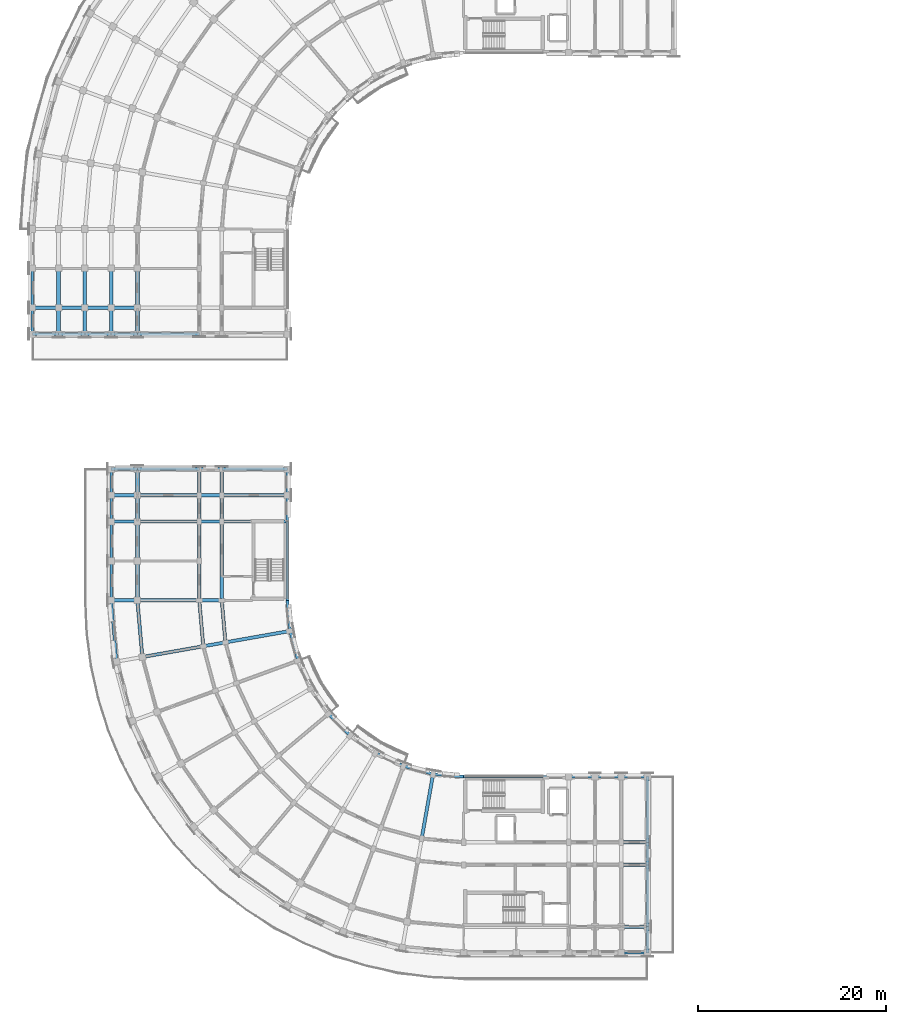
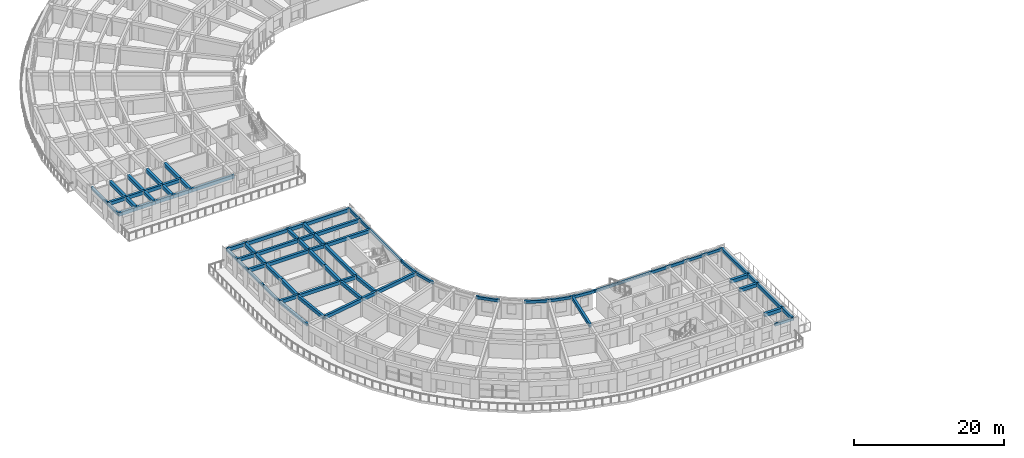
# One storey, part 6 of 54: 78 beams.
"""IFC4 building model written with IfcOpenShell, lengths in metres."""

from ifc_helpers import new_model, si_unit, direction, frame, origin, origin_2d, place, context, subcontext, project, spatial, rectangle, extrude, material, material_profile, profile_set, type_object, element, save


model = new_model("IFC4")

# Units and contexts
model_context = context("Model", 3, precision=1e-05, world=origin(), true_north=direction((0.0, 1.0)))
body_context = subcontext(model_context, "Body", "Model", "MODEL_VIEW")
ifc_project = project(units=[si_unit("LENGTHUNIT", "METRE"), si_unit("AREAUNIT", "SQUARE_METRE"), si_unit("VOLUMEUNIT", "CUBIC_METRE"), si_unit("PLANEANGLEUNIT", "RADIAN"), si_unit("MASSUNIT", "GRAM", prefix="KILO")], contexts=[model_context])

# Site, building, storey
site_placement = place(None, origin())
site = spatial("IfcSite", under=ifc_project, at=site_placement, CompositionType="ELEMENT")
building_placement = place(site_placement, origin())
building = spatial("IfcBuilding", under=site, at=building_placement, Name="Kiranvali Square Residences", CompositionType="ELEMENT")
storey_placement = place(building_placement, frame((0.0, 0.0, 27.60009765625)))
storey = spatial("IfcBuildingStorey", under=building, at=storey_placement, Name="L08", CompositionType="ELEMENT", Elevation=27.60009765625)

# Beams
ifc_material_1 = material(Name="Concrete M40 (40 MPa)", Category="concrete")
ifc_material_profile_1 = material_profile(ifc_material_1, rectangle(XDim=0.35009765625, YDim=0.550048828125, at=origin_2d()), Name="RC 350x550")
ifc_profile_set_1 = profile_set([ifc_material_profile_1], Name="Concrete M40 (40 MPa)")
beam_type_1 = type_object("IfcBeamType", Name="BM-M40-350x550", PredefinedType="BEAM", material=ifc_profile_set_1)
beam_1_placement = place(storey_placement, frame((13.39990234375, 79.39990234375, 2.65478515625), z_axis=(-1.0, 0.0, 0.0), x_axis=(0.0, -1.0, 0.0)))
element("IfcBeam", 1, at=beam_1_placement, inside=storey, type_object=beam_type_1, Name="L08 beam BM-A-L08-A2T1-34", PredefinedType="BEAM", context=body_context, shape_type="SweptSolid", body=[
    extrude(rectangle(XDim=0.35009765625, YDim=0.550048828125, at=origin_2d()), origin(), (0.0, 0.0, 1.0), 2.7998046875),
])
for number, where, z_axis, x_axis, name in (
    (2, (10.60009765625, 79.39990234375, 2.65478515625), (-1.0, 0.0, 0.0), (0.0, -1.0, 0.0), "L08 beam BM-A-L08-A2T1-45"),
    (3, (7.800048828125, 79.39990234375, 2.65478515625), (-1.0, 0.0, 0.0), (0.0, -1.0, 0.0), "L08 beam BM-A-L08-A2T1-56"),
    (4, (5.0, 79.39990234375, 2.65478515625), (-1.0, 0.0, 0.0), (0.0, -1.0, 0.0), "L08 beam BM-A-L08-A2T1-67"),
):
    element("IfcBeam", number, at=place(storey_placement, frame(where, z_axis=z_axis, x_axis=x_axis)), inside=storey, type_object=beam_type_1, Name=name, PredefinedType="BEAM", context=body_context, shape_type="SweptSolid", body=[
        extrude(rectangle(XDim=0.35009765625, YDim=0.550048828125, at=origin_2d()), origin(), (0.0, 0.0, 1.0), 2.800048828125),
    ])
beam_2_placement = place(storey_placement, frame((20.0, 76.60009765625, 2.65478515625), z_axis=(-1.0, 0.0, 0.0), x_axis=(0.0, -1.0, 0.0)))
element("IfcBeam", 5, at=beam_2_placement, inside=storey, type_object=beam_type_1, Name="L08 beam BM-A-L08-A2T2-23", PredefinedType="BEAM", context=body_context, shape_type="SweptSolid", body=[
    extrude(rectangle(XDim=0.35009765625, YDim=0.550048828125, at=origin_2d()), origin(), (0.0, 0.0, 1.0), 6.60009765625),
])
beam_3_placement = place(storey_placement, frame((13.39990234375, 76.60009765625, 2.65478515625), z_axis=(-1.0, 0.0, 0.0), x_axis=(0.0, -1.0, 0.0)))
element("IfcBeam", 6, at=beam_3_placement, inside=storey, type_object=beam_type_1, Name="L08 beam BM-A-L08-A2T2-34", PredefinedType="BEAM", context=body_context, shape_type="SweptSolid", body=[
    extrude(rectangle(XDim=0.35009765625, YDim=0.550048828125, at=origin_2d()), origin(), (0.0, 0.0, 1.0), 2.7998046875),
])
for number, where, z_axis, x_axis, name in (
    (7, (10.60009765625, 76.60009765625, 2.65478515625), (-1.0, 0.0, 0.0), (0.0, -1.0, 0.0), "L08 beam BM-A-L08-A2T2-45"),
    (8, (7.800048828125, 76.60009765625, 2.65478515625), (-1.0, 0.0, 0.0), (0.0, -1.0, 0.0), "L08 beam BM-A-L08-A2T2-56"),
    (9, (5.0, 76.60009765625, 2.65478515625), (-1.0, 0.0, 0.0), (0.0, -1.0, 0.0), "L08 beam BM-A-L08-A2T2-67"),
):
    element("IfcBeam", number, at=place(storey_placement, frame(where, z_axis=z_axis, x_axis=x_axis)), inside=storey, type_object=beam_type_1, Name=name, PredefinedType="BEAM", context=body_context, shape_type="SweptSolid", body=[
        extrude(rectangle(XDim=0.35009765625, YDim=0.550048828125, at=origin_2d()), origin(), (0.0, 0.0, 1.0), 2.800048828125),
    ])
beam_4_placement = place(storey_placement, frame((22.7919921875, 43.719970703125, 2.65478515625), z_axis=(-0.087187153726, 0.996191949488, 0.0), x_axis=(-0.996191949488, -0.087187153726, 0.0)))
element("IfcBeam", 10, at=beam_4_placement, inside=storey, type_object=beam_type_1, Name="L08 beam BM-C-L08-C08-R1", PredefinedType="BEAM", context=body_context, shape_type="SweptSolid", body=[
    extrude(rectangle(XDim=0.35009765625, YDim=0.550048828125, at=origin_2d()), origin(), (0.0, 0.0, 1.0), 4.4970703125),
])
beam_5_placement = place(storey_placement, frame((20.428466796875, 43.30322265625, 2.65478515625), z_axis=(-0.087167566415, 0.996193663584, 0.0), x_axis=(-0.996193663584, -0.087167566415, 0.0)))
element("IfcBeam", 11, at=beam_5_placement, inside=storey, type_object=beam_type_1, Name="L08 beam BM-C-L08-C08-R2", PredefinedType="BEAM", context=body_context, shape_type="SweptSolid", body=[
    extrude(rectangle(XDim=0.35009765625, YDim=0.550048828125, at=origin_2d()), origin(), (0.0, 0.0, 1.0), 4.91552734375),
])
beam_6_placement = place(storey_placement, frame((13.9287109375, 42.156982421875, 2.65478515625), z_axis=(-0.087174938512, 0.996193018494, 0.0), x_axis=(-0.996193018494, -0.087174938512, 0.0)))
element("IfcBeam", 12, at=beam_6_placement, inside=storey, type_object=beam_type_1, Name="L08 beam BM-C-L08-C08-R3", PredefinedType="BEAM", context=body_context, shape_type="SweptSolid", body=[
    extrude(rectangle(XDim=0.35009765625, YDim=0.550048828125, at=origin_2d()), origin(), (0.0, 0.0, 1.0), 6.066162109375),
])
for number, where, z_axis, x_axis, name in (
    (13, (44.935302734375, 29.685546875, 2.65478515625), (-0.173622177865, -0.984812337125, 0.0), (0.984812337125, -0.173622177865, 0.0), "L08 beam BM-C-L08-RAD01-01"),
    (14, (29.685546875, 44.935302734375, 2.65478515625), (-0.984812337125, -0.173622177865, 0.0), (0.173622177865, -0.984812337125, 0.0), "L08 beam BM-C-L08-RAD08-01"),
):
    element("IfcBeam", number, at=place(storey_placement, frame(where, z_axis=z_axis, x_axis=x_axis)), inside=storey, type_object=beam_type_1, Name=name, PredefinedType="BEAM", context=body_context, shape_type="SweptSolid", body=[
        extrude(rectangle(XDim=0.35009765625, YDim=0.550048828125, at=origin_2d()), origin(), (0.0, 0.0, 1.0), 6.999755859375),
    ])
beam_7_placement = place(storey_placement, frame((22.7919921875, 43.719970703125, 2.65478515625), z_axis=(-0.984808127031, -0.173646056486, 0.0), x_axis=(0.173646056486, -0.984808127031, 0.0)))
element("IfcBeam", 15, at=beam_7_placement, inside=storey, type_object=beam_type_1, Name="L08 beam BM-C-L08-RAD08-12", PredefinedType="BEAM", context=body_context, shape_type="SweptSolid", body=[
    extrude(rectangle(XDim=0.35009765625, YDim=0.550048828125, at=origin_2d()), origin(), (0.0, 0.0, 1.0), 2.39990234375),
])
beam_8_placement = place(storey_placement, frame((20.428466796875, 43.30322265625, 2.65478515625), z_axis=(-0.984803661269, -0.173671381499, 0.0), x_axis=(0.173671381499, -0.984803661269, 0.0)))
element("IfcBeam", 16, at=beam_8_placement, inside=storey, type_object=beam_type_1, Name="L08 beam BM-C-L08-RAD08-23", PredefinedType="BEAM", context=body_context, shape_type="SweptSolid", body=[
    extrude(rectangle(XDim=0.35009765625, YDim=0.550048828125, at=origin_2d()), origin(), (0.0, 0.0, 1.0), 6.60009765625),
])
beam_9_placement = place(storey_placement, frame((67.800048828125, 29.39990234375, 2.65478515625), z_axis=(0.0, -1.0, 0.0), x_axis=(1.0, 0.0, 0.0)))
element("IfcBeam", 17, at=beam_9_placement, inside=storey, type_object=beam_type_1, Name="L08 beam BM-C-L08-A1T4-01", PredefinedType="BEAM", context=body_context, shape_type="SweptSolid", body=[
    extrude(rectangle(XDim=0.35009765625, YDim=0.550048828125, at=origin_2d()), origin(), (0.0, 0.0, 1.0), 7.0),
])
beam_10_placement = place(storey_placement, frame((67.800048828125, 22.39990234375, 2.65478515625), z_axis=(0.0, -1.0, 0.0), x_axis=(1.0, 0.0, 0.0)))
element("IfcBeam", 18, at=beam_10_placement, inside=storey, type_object=beam_type_1, Name="L08 beam BM-C-L08-A1T4-12", PredefinedType="BEAM", context=body_context, shape_type="SweptSolid", body=[
    extrude(rectangle(XDim=0.35009765625, YDim=0.550048828125, at=origin_2d()), origin(), (0.0, 0.0, 1.0), 2.39990234375),
])
beam_11_placement = place(storey_placement, frame((67.800048828125, 20.0, 2.65478515625), z_axis=(0.0, -1.0, 0.0), x_axis=(1.0, 0.0, 0.0)))
element("IfcBeam", 19, at=beam_11_placement, inside=storey, type_object=beam_type_1, Name="L08 beam BM-C-L08-A1T4-23", PredefinedType="BEAM", context=body_context, shape_type="SweptSolid", body=[
    extrude(rectangle(XDim=0.35009765625, YDim=0.550048828125, at=origin_2d()), origin(), (0.0, 0.0, 1.0), 6.60009765625),
])
beam_12_placement = place(storey_placement, frame((67.800048828125, 13.39990234375, 2.69482421875), z_axis=(0.0, -1.0, 0.0), x_axis=(1.0, 0.0, 0.0)))
element("IfcBeam", 20, at=beam_12_placement, inside=storey, type_object=beam_type_1, Name="L08 beam BM-C-L08-A1T4-34", PredefinedType="BEAM", context=body_context, shape_type="SweptSolid", body=[
    extrude(rectangle(XDim=0.35009765625, YDim=0.550048828125, at=origin_2d()), origin(), (0.0, 0.0, 1.0), 2.7998046875),
])
beam_13_placement = place(storey_placement, frame((22.39990234375, 48.199951171875, 2.65478515625), z_axis=(-1.0, 0.0, 0.0), x_axis=(0.0, -1.0, 0.0)))
element("IfcBeam", 21, at=beam_13_placement, inside=storey, type_object=beam_type_1, Name="L08 beam BM-C-L08-A2T0-12", PredefinedType="BEAM", context=body_context, shape_type="SweptSolid", body=[
    extrude(rectangle(XDim=0.35009765625, YDim=0.550048828125, at=origin_2d()), origin(), (0.0, 0.0, 1.0), 2.39990234375),
])
beam_14_placement = place(storey_placement, frame((20.0, 48.199951171875, 2.65478515625), z_axis=(-1.0, 0.0, 0.0), x_axis=(0.0, -1.0, 0.0)))
element("IfcBeam", 22, at=beam_14_placement, inside=storey, type_object=beam_type_1, Name="L08 beam BM-C-L08-A2T0-23", PredefinedType="BEAM", context=body_context, shape_type="SweptSolid", body=[
    extrude(rectangle(XDim=0.35009765625, YDim=0.550048828125, at=origin_2d()), origin(), (0.0, 0.0, 1.0), 6.60009765625),
])
beam_15_placement = place(storey_placement, frame((13.39990234375, 48.199951171875, 2.69482421875), z_axis=(-1.0, 0.0, 0.0), x_axis=(0.0, -1.0, 0.0)))
element("IfcBeam", 23, at=beam_15_placement, inside=storey, type_object=beam_type_1, Name="L08 beam BM-C-L08-A2T0-34", PredefinedType="BEAM", context=body_context, shape_type="SweptSolid", body=[
    extrude(rectangle(XDim=0.35009765625, YDim=0.550048828125, at=origin_2d()), origin(), (0.0, 0.0, 1.0), 2.7998046875),
])
beam_16_placement = place(storey_placement, frame((29.39990234375, 56.60009765625, 2.65478515625), z_axis=(-1.0, 0.0, 0.0), x_axis=(0.0, -1.0, 0.0)))
element("IfcBeam", 24, at=beam_16_placement, inside=storey, type_object=beam_type_1, Name="L08 beam BM-C-L08-A2T1-01", PredefinedType="BEAM", context=body_context, shape_type="SweptSolid", body=[
    extrude(rectangle(XDim=0.35009765625, YDim=0.550048828125, at=origin_2d()), origin(), (0.0, 0.0, 1.0), 7.0),
])
beam_17_placement = place(storey_placement, frame((22.39990234375, 56.60009765625, 2.65478515625), z_axis=(-1.0, 0.0, 0.0), x_axis=(0.0, -1.0, 0.0)))
element("IfcBeam", 25, at=beam_17_placement, inside=storey, type_object=beam_type_1, Name="L08 beam BM-C-L08-A2T1-12", PredefinedType="BEAM", context=body_context, shape_type="SweptSolid", body=[
    extrude(rectangle(XDim=0.35009765625, YDim=0.550048828125, at=origin_2d()), origin(), (0.0, 0.0, 1.0), 2.39990234375),
])
beam_18_placement = place(storey_placement, frame((20.0, 56.60009765625, 2.65478515625), z_axis=(-1.0, 0.0, 0.0), x_axis=(0.0, -1.0, 0.0)))
element("IfcBeam", 26, at=beam_18_placement, inside=storey, type_object=beam_type_1, Name="L08 beam BM-C-L08-A2T1-23", PredefinedType="BEAM", context=body_context, shape_type="SweptSolid", body=[
    extrude(rectangle(XDim=0.35009765625, YDim=0.550048828125, at=origin_2d()), origin(), (0.0, 0.0, 1.0), 6.60009765625),
])
beam_19_placement = place(storey_placement, frame((13.39990234375, 56.60009765625, 2.69482421875), z_axis=(-1.0, 0.0, 0.0), x_axis=(0.0, -1.0, 0.0)))
element("IfcBeam", 27, at=beam_19_placement, inside=storey, type_object=beam_type_1, Name="L08 beam BM-C-L08-A2T1-34", PredefinedType="BEAM", context=body_context, shape_type="SweptSolid", body=[
    extrude(rectangle(XDim=0.35009765625, YDim=0.550048828125, at=origin_2d()), origin(), (0.0, 0.0, 1.0), 2.7998046875),
])
beam_20_placement = place(storey_placement, frame((29.39990234375, 59.39990234375, 2.65478515625), z_axis=(-1.0, 0.0, 0.0), x_axis=(0.0, -1.0, 0.0)))
element("IfcBeam", 28, at=beam_20_placement, inside=storey, type_object=beam_type_1, Name="L08 beam BM-C-L08-A2T2-01", PredefinedType="BEAM", context=body_context, shape_type="SweptSolid", body=[
    extrude(rectangle(XDim=0.35009765625, YDim=0.550048828125, at=origin_2d()), origin(), (0.0, 0.0, 1.0), 7.0),
])
beam_21_placement = place(storey_placement, frame((22.39990234375, 59.39990234375, 2.65478515625), z_axis=(-1.0, 0.0, 0.0), x_axis=(0.0, -1.0, 0.0)))
element("IfcBeam", 29, at=beam_21_placement, inside=storey, type_object=beam_type_1, Name="L08 beam BM-C-L08-A2T2-12", PredefinedType="BEAM", context=body_context, shape_type="SweptSolid", body=[
    extrude(rectangle(XDim=0.35009765625, YDim=0.550048828125, at=origin_2d()), origin(), (0.0, 0.0, 1.0), 2.39990234375),
])
beam_22_placement = place(storey_placement, frame((20.0, 59.39990234375, 2.65478515625), z_axis=(-1.0, 0.0, 0.0), x_axis=(0.0, -1.0, 0.0)))
element("IfcBeam", 30, at=beam_22_placement, inside=storey, type_object=beam_type_1, Name="L08 beam BM-C-L08-A2T2-23", PredefinedType="BEAM", context=body_context, shape_type="SweptSolid", body=[
    extrude(rectangle(XDim=0.35009765625, YDim=0.550048828125, at=origin_2d()), origin(), (0.0, 0.0, 1.0), 6.60009765625),
])
beam_23_placement = place(storey_placement, frame((13.39990234375, 59.39990234375, 2.69482421875), z_axis=(-1.0, 0.0, 0.0), x_axis=(0.0, -1.0, 0.0)))
element("IfcBeam", 31, at=beam_23_placement, inside=storey, type_object=beam_type_1, Name="L08 beam BM-C-L08-A2T2-34", PredefinedType="BEAM", context=body_context, shape_type="SweptSolid", body=[
    extrude(rectangle(XDim=0.35009765625, YDim=0.550048828125, at=origin_2d()), origin(), (0.0, 0.0, 1.0), 2.7998046875),
])
beam_24_placement = place(storey_placement, frame((29.39990234375, 62.199951171875, 2.65478515625), z_axis=(-1.0, 0.0, 0.0), x_axis=(0.0, -1.0, 0.0)))
element("IfcBeam", 32, at=beam_24_placement, inside=storey, type_object=beam_type_1, Name="L08 beam BM-C-L08-A2T3-01", PredefinedType="BEAM", context=body_context, shape_type="SweptSolid", body=[
    extrude(rectangle(XDim=0.35009765625, YDim=0.550048828125, at=origin_2d()), origin(), (0.0, 0.0, 1.0), 7.0),
])
beam_25_placement = place(storey_placement, frame((22.39990234375, 62.199951171875, 2.65478515625), z_axis=(-1.0, 0.0, 0.0), x_axis=(0.0, -1.0, 0.0)))
element("IfcBeam", 33, at=beam_25_placement, inside=storey, type_object=beam_type_1, Name="L08 beam BM-C-L08-A2T3-12", PredefinedType="BEAM", context=body_context, shape_type="SweptSolid", body=[
    extrude(rectangle(XDim=0.35009765625, YDim=0.550048828125, at=origin_2d()), origin(), (0.0, 0.0, 1.0), 2.39990234375),
])
beam_26_placement = place(storey_placement, frame((20.0, 62.199951171875, 2.65478515625), z_axis=(-1.0, 0.0, 0.0), x_axis=(0.0, -1.0, 0.0)))
element("IfcBeam", 34, at=beam_26_placement, inside=storey, type_object=beam_type_1, Name="L08 beam BM-C-L08-A2T3-23", PredefinedType="BEAM", context=body_context, shape_type="SweptSolid", body=[
    extrude(rectangle(XDim=0.35009765625, YDim=0.550048828125, at=origin_2d()), origin(), (0.0, 0.0, 1.0), 6.60009765625),
])
beam_27_placement = place(storey_placement, frame((13.39990234375, 62.199951171875, 2.69482421875), z_axis=(-1.0, 0.0, 0.0), x_axis=(0.0, -1.0, 0.0)))
element("IfcBeam", 35, at=beam_27_placement, inside=storey, type_object=beam_type_1, Name="L08 beam BM-C-L08-A2T3-34", PredefinedType="BEAM", context=body_context, shape_type="SweptSolid", body=[
    extrude(rectangle(XDim=0.35009765625, YDim=0.550048828125, at=origin_2d()), origin(), (0.0, 0.0, 1.0), 2.7998046875),
])
ifc_material_2 = material(Name="Concrete M45 (45 MPa)", Category="concrete")
ifc_material_profile_2 = material_profile(ifc_material_2, rectangle(XDim=0.39990234375, YDim=0.550048828125, at=origin_2d()), Name="RC 400x550")
ifc_profile_set_2 = profile_set([ifc_material_profile_2], Name="Concrete M45 (45 MPa)")
beam_type_2 = type_object("IfcBeamType", Name="BM-M45-400x550", PredefinedType="BEAM", material=ifc_profile_set_2)
beam_28_placement = place(storey_placement, frame((13.39990234375, 83.60009765625, 2.65478515625), z_axis=(0.0, -1.0, 0.0), x_axis=(1.0, 0.0, 0.0)))
element("IfcBeam", 36, at=beam_28_placement, inside=storey, type_object=beam_type_2, Name="L08 beam BM-A-L08-A2V1-R3", PredefinedType="BEAM", context=body_context, shape_type="SweptSolid", body=[
    extrude(rectangle(XDim=0.39990234375, YDim=0.550048828125, at=origin_2d()), origin(), (0.0, 0.0, 1.0), 4.2001953125),
])
beam_29_placement = place(storey_placement, frame((13.39990234375, 79.39990234375, 2.65478515625), z_axis=(0.0, -1.0, 0.0), x_axis=(1.0, 0.0, 0.0)))
element("IfcBeam", 37, at=beam_29_placement, inside=storey, type_object=beam_type_2, Name="L08 beam BM-A-L08-A2V2-R3", PredefinedType="BEAM", context=body_context, shape_type="SweptSolid", body=[
    extrude(rectangle(XDim=0.39990234375, YDim=0.550048828125, at=origin_2d()), origin(), (0.0, 0.0, 1.0), 2.7998046875),
])
beam_30_placement = place(storey_placement, frame((10.60009765625, 83.60009765625, 2.65478515625), z_axis=(0.0, -1.0, 0.0), x_axis=(1.0, 0.0, 0.0)))
element("IfcBeam", 38, at=beam_30_placement, inside=storey, type_object=beam_type_2, Name="L08 beam BM-A-L08-A2V1-R4", PredefinedType="BEAM", context=body_context, shape_type="SweptSolid", body=[
    extrude(rectangle(XDim=0.39990234375, YDim=0.550048828125, at=origin_2d()), origin(), (0.0, 0.0, 1.0), 4.2001953125),
])
beam_31_placement = place(storey_placement, frame((10.60009765625, 79.39990234375, 2.65478515625), z_axis=(0.0, -1.0, 0.0), x_axis=(1.0, 0.0, 0.0)))
element("IfcBeam", 39, at=beam_31_placement, inside=storey, type_object=beam_type_2, Name="L08 beam BM-A-L08-A2V2-R4", PredefinedType="BEAM", context=body_context, shape_type="SweptSolid", body=[
    extrude(rectangle(XDim=0.39990234375, YDim=0.550048828125, at=origin_2d()), origin(), (0.0, 0.0, 1.0), 2.7998046875),
])
beam_32_placement = place(storey_placement, frame((7.800048828125, 83.60009765625, 2.65478515625), z_axis=(0.0, -1.0, 0.0), x_axis=(1.0, 0.0, 0.0)))
element("IfcBeam", 40, at=beam_32_placement, inside=storey, type_object=beam_type_2, Name="L08 beam BM-A-L08-A2V1-R5", PredefinedType="BEAM", context=body_context, shape_type="SweptSolid", body=[
    extrude(rectangle(XDim=0.39990234375, YDim=0.550048828125, at=origin_2d()), origin(), (0.0, 0.0, 1.0), 4.2001953125),
])
beam_33_placement = place(storey_placement, frame((7.800048828125, 79.39990234375, 2.65478515625), z_axis=(0.0, -1.0, 0.0), x_axis=(1.0, 0.0, 0.0)))
element("IfcBeam", 41, at=beam_33_placement, inside=storey, type_object=beam_type_2, Name="L08 beam BM-A-L08-A2V2-R5", PredefinedType="BEAM", context=body_context, shape_type="SweptSolid", body=[
    extrude(rectangle(XDim=0.39990234375, YDim=0.550048828125, at=origin_2d()), origin(), (0.0, 0.0, 1.0), 2.7998046875),
])
beam_34_placement = place(storey_placement, frame((5.0, 83.60009765625, 2.65478515625), z_axis=(0.0, -1.0, 0.0), x_axis=(1.0, 0.0, 0.0)))
element("IfcBeam", 42, at=beam_34_placement, inside=storey, type_object=beam_type_2, Name="L08 beam BM-A-L08-A2V1-R6", PredefinedType="BEAM", context=body_context, shape_type="SweptSolid", body=[
    extrude(rectangle(XDim=0.39990234375, YDim=0.550048828125, at=origin_2d()), origin(), (0.0, 0.0, 1.0), 4.2001953125),
])
beam_35_placement = place(storey_placement, frame((5.0, 79.39990234375, 2.65478515625), z_axis=(0.0, -1.0, 0.0), x_axis=(1.0, 0.0, 0.0)))
element("IfcBeam", 43, at=beam_35_placement, inside=storey, type_object=beam_type_2, Name="L08 beam BM-A-L08-A2V2-R6", PredefinedType="BEAM", context=body_context, shape_type="SweptSolid", body=[
    extrude(rectangle(XDim=0.39990234375, YDim=0.550048828125, at=origin_2d()), origin(), (0.0, 0.0, 1.0), 2.7998046875),
])
for number, where, z_axis, x_axis, name in (
    (44, (65.0, 22.39990234375, 2.65478515625), (1.0, 0.0, 0.0), (0.0, 1.0, 0.0), "L08 beam BM-C-L08-A1U3-R1"),
    (45, (65.0, 20.0, 2.65478515625), (1.0, 0.0, 0.0), (0.0, 1.0, 0.0), "L08 beam BM-C-L08-A1U3-R2"),
    (46, (65.0, 13.39990234375, 2.65478515625), (1.0, 0.0, 0.0), (0.0, 1.0, 0.0), "L08 beam BM-C-L08-A1U3-R3"),
):
    element("IfcBeam", number, at=place(storey_placement, frame(where, z_axis=z_axis, x_axis=x_axis)), inside=storey, type_object=beam_type_2, Name=name, PredefinedType="BEAM", context=body_context, shape_type="SweptSolid", body=[
        extrude(rectangle(XDim=0.39990234375, YDim=0.550048828125, at=origin_2d()), origin(), (0.0, 0.0, 1.0), 2.800048828125),
    ])
beam_36_placement = place(storey_placement, frame((22.39990234375, 48.199951171875, 2.65478515625), z_axis=(0.0, 1.0, 0.0), x_axis=(-1.0, 0.0, 0.0)))
element("IfcBeam", 47, at=beam_36_placement, inside=storey, type_object=beam_type_2, Name="L08 beam BM-C-L08-A2V0-R1", PredefinedType="BEAM", context=body_context, shape_type="SweptSolid", body=[
    extrude(rectangle(XDim=0.39990234375, YDim=0.550048828125, at=origin_2d()), origin(), (0.0, 0.0, 1.0), 8.400146484375),
])
beam_37_placement = place(storey_placement, frame((22.39990234375, 56.60009765625, 2.65478515625), z_axis=(0.0, 1.0, 0.0), x_axis=(-1.0, 0.0, 0.0)))
element("IfcBeam", 48, at=beam_37_placement, inside=storey, type_object=beam_type_2, Name="L08 beam BM-C-L08-A2V1-R1", PredefinedType="BEAM", context=body_context, shape_type="SweptSolid", body=[
    extrude(rectangle(XDim=0.39990234375, YDim=0.550048828125, at=origin_2d()), origin(), (0.0, 0.0, 1.0), 2.7998046875),
])
beam_38_placement = place(storey_placement, frame((22.39990234375, 59.39990234375, 2.65478515625), z_axis=(0.0, 1.0, 0.0), x_axis=(-1.0, 0.0, 0.0)))
element("IfcBeam", 49, at=beam_38_placement, inside=storey, type_object=beam_type_2, Name="L08 beam BM-C-L08-A2V2-R1", PredefinedType="BEAM", context=body_context, shape_type="SweptSolid", body=[
    extrude(rectangle(XDim=0.39990234375, YDim=0.550048828125, at=origin_2d()), origin(), (0.0, 0.0, 1.0), 2.800048828125),
])
beam_39_placement = place(storey_placement, frame((20.0, 48.199951171875, 2.65478515625), z_axis=(0.0, 1.0, 0.0), x_axis=(-1.0, 0.0, 0.0)))
element("IfcBeam", 50, at=beam_39_placement, inside=storey, type_object=beam_type_2, Name="L08 beam BM-C-L08-A2V0-R2", PredefinedType="BEAM", context=body_context, shape_type="SweptSolid", body=[
    extrude(rectangle(XDim=0.39990234375, YDim=0.550048828125, at=origin_2d()), origin(), (0.0, 0.0, 1.0), 4.199951171875),
])
beam_40_placement = place(storey_placement, frame((20.0, 52.39990234375, 2.65478515625), z_axis=(0.0, 1.0, 0.0), x_axis=(-1.0, 0.0, 0.0)))
element("IfcBeam", 51, at=beam_40_placement, inside=storey, type_object=beam_type_2, Name="L08 beam BM-C-L08-A2V1-R2", PredefinedType="BEAM", context=body_context, shape_type="SweptSolid", body=[
    extrude(rectangle(XDim=0.39990234375, YDim=0.550048828125, at=origin_2d()), origin(), (0.0, 0.0, 1.0), 4.2001953125),
])
beam_41_placement = place(storey_placement, frame((20.0, 56.60009765625, 2.65478515625), z_axis=(0.0, 1.0, 0.0), x_axis=(-1.0, 0.0, 0.0)))
element("IfcBeam", 52, at=beam_41_placement, inside=storey, type_object=beam_type_2, Name="L08 beam BM-C-L08-A2V2-R2", PredefinedType="BEAM", context=body_context, shape_type="SweptSolid", body=[
    extrude(rectangle(XDim=0.39990234375, YDim=0.550048828125, at=origin_2d()), origin(), (0.0, 0.0, 1.0), 2.7998046875),
])
beam_42_placement = place(storey_placement, frame((20.0, 59.39990234375, 2.65478515625), z_axis=(0.0, 1.0, 0.0), x_axis=(-1.0, 0.0, 0.0)))
element("IfcBeam", 53, at=beam_42_placement, inside=storey, type_object=beam_type_2, Name="L08 beam BM-C-L08-A2V3-R2", PredefinedType="BEAM", context=body_context, shape_type="SweptSolid", body=[
    extrude(rectangle(XDim=0.39990234375, YDim=0.550048828125, at=origin_2d()), origin(), (0.0, 0.0, 1.0), 2.800048828125),
])
beam_43_placement = place(storey_placement, frame((13.39990234375, 48.199951171875, 2.65478515625), z_axis=(0.0, 1.0, 0.0), x_axis=(-1.0, 0.0, 0.0)))
element("IfcBeam", 54, at=beam_43_placement, inside=storey, type_object=beam_type_2, Name="L08 beam BM-C-L08-A2V0-R3", PredefinedType="BEAM", context=body_context, shape_type="SweptSolid", body=[
    extrude(rectangle(XDim=0.39990234375, YDim=0.550048828125, at=origin_2d()), origin(), (0.0, 0.0, 1.0), 4.199951171875),
])
beam_44_placement = place(storey_placement, frame((13.39990234375, 52.39990234375, 2.65478515625), z_axis=(0.0, 1.0, 0.0), x_axis=(-1.0, 0.0, 0.0)))
element("IfcBeam", 55, at=beam_44_placement, inside=storey, type_object=beam_type_2, Name="L08 beam BM-C-L08-A2V1-R3", PredefinedType="BEAM", context=body_context, shape_type="SweptSolid", body=[
    extrude(rectangle(XDim=0.39990234375, YDim=0.550048828125, at=origin_2d()), origin(), (0.0, 0.0, 1.0), 4.2001953125),
])
beam_45_placement = place(storey_placement, frame((13.39990234375, 56.60009765625, 2.65478515625), z_axis=(0.0, 1.0, 0.0), x_axis=(-1.0, 0.0, 0.0)))
element("IfcBeam", 56, at=beam_45_placement, inside=storey, type_object=beam_type_2, Name="L08 beam BM-C-L08-A2V2-R3", PredefinedType="BEAM", context=body_context, shape_type="SweptSolid", body=[
    extrude(rectangle(XDim=0.39990234375, YDim=0.550048828125, at=origin_2d()), origin(), (0.0, 0.0, 1.0), 2.7998046875),
])
beam_46_placement = place(storey_placement, frame((13.39990234375, 59.39990234375, 2.65478515625), z_axis=(0.0, 1.0, 0.0), x_axis=(-1.0, 0.0, 0.0)))
element("IfcBeam", 57, at=beam_46_placement, inside=storey, type_object=beam_type_2, Name="L08 beam BM-C-L08-A2V3-R3", PredefinedType="BEAM", context=body_context, shape_type="SweptSolid", body=[
    extrude(rectangle(XDim=0.39990234375, YDim=0.550048828125, at=origin_2d()), origin(), (0.0, 0.0, 1.0), 2.800048828125),
])
ifc_material_profile_3 = material_profile(ifc_material_1, rectangle(XDim=0.25, YDim=0.449951171875, at=origin_2d()), Name="RC 250x450")
ifc_profile_set_3 = profile_set([ifc_material_profile_3], Name="Concrete M40 (40 MPa)")
beam_type_3 = type_object("IfcBeamType", Name="SPN-M40-250x450", PredefinedType="SPANDREL", material=ifc_profile_set_3)
beam_47_placement = place(storey_placement, frame((2.199951171875, 83.60009765625, 2.704833984375), z_axis=(0.0, -1.0, 0.0), x_axis=(1.0, 0.0, 0.0)))
element("IfcBeam", 58, at=beam_47_placement, inside=storey, type_object=beam_type_3, Name="L08 beam BM-A-L08-A2V1-R7", PredefinedType="SPANDREL", context=body_context, shape_type="SweptSolid", body=[
    extrude(rectangle(XDim=0.25, YDim=0.449951171875, at=origin_2d()), origin(), (0.0, 0.0, 1.0), 4.2001953125),
])
beam_48_placement = place(storey_placement, frame((2.199951171875, 79.39990234375, 2.704833984375), z_axis=(0.0, -1.0, 0.0), x_axis=(1.0, 0.0, 0.0)))
element("IfcBeam", 59, at=beam_48_placement, inside=storey, type_object=beam_type_3, Name="L08 beam BM-A-L08-A2V2-R7", PredefinedType="SPANDREL", context=body_context, shape_type="SweptSolid", body=[
    extrude(rectangle(XDim=0.25, YDim=0.449951171875, at=origin_2d()), origin(), (0.0, 0.0, 1.0), 2.7998046875),
])
beam_49_placement = place(storey_placement, frame((48.199951171875, 29.39990234375, 2.704833984375), z_axis=(1.0, 0.0, 0.0), x_axis=(0.0, 1.0, 0.0)))
element("IfcBeam", 60, at=beam_49_placement, inside=storey, type_object=beam_type_3, Name="L08 beam BM-C-L08-A1U0-R0", PredefinedType="SPANDREL", context=body_context, shape_type="SweptSolid", body=[
    extrude(rectangle(XDim=0.25, YDim=0.449951171875, at=origin_2d()), origin(), (0.0, 0.0, 1.0), 11.199951171875),
])
for number, where, z_axis, x_axis, name in (
    (61, (59.39990234375, 29.39990234375, 2.704833984375), (1.0, 0.0, 0.0), (0.0, 1.0, 0.0), "L08 beam BM-C-L08-A1U1-R0"),
    (62, (62.199951171875, 29.39990234375, 2.704833984375), (1.0, 0.0, 0.0), (0.0, 1.0, 0.0), "L08 beam BM-C-L08-A1U2-R0"),
    (63, (65.0, 29.39990234375, 2.704833984375), (1.0, 0.0, 0.0), (0.0, 1.0, 0.0), "L08 beam BM-C-L08-A1U3-R0"),
    (64, (65.0, 10.60009765625, 2.744873046875), (1.0, 0.0, 0.0), (0.0, 1.0, 0.0), "L08 beam BM-C-L08-A1U4-R4"),
):
    element("IfcBeam", number, at=place(storey_placement, frame(where, z_axis=z_axis, x_axis=x_axis)), inside=storey, type_object=beam_type_3, Name=name, PredefinedType="SPANDREL", context=body_context, shape_type="SweptSolid", body=[
        extrude(rectangle(XDim=0.25, YDim=0.449951171875, at=origin_2d()), origin(), (0.0, 0.0, 1.0), 2.800048828125),
    ])
beam_50_placement = place(storey_placement, frame((29.39990234375, 48.199951171875, 2.704833984375), z_axis=(0.0, 1.0, 0.0), x_axis=(-1.0, 0.0, 0.0)))
element("IfcBeam", 65, at=beam_50_placement, inside=storey, type_object=beam_type_3, Name="L08 beam BM-C-L08-A2V0-R0", PredefinedType="SPANDREL", context=body_context, shape_type="SweptSolid", body=[
    extrude(rectangle(XDim=0.25, YDim=0.449951171875, at=origin_2d()), origin(), (0.0, 0.0, 1.0), 8.400146484375),
])
beam_51_placement = place(storey_placement, frame((29.39990234375, 56.60009765625, 2.704833984375), z_axis=(0.0, 1.0, 0.0), x_axis=(-1.0, 0.0, 0.0)))
element("IfcBeam", 66, at=beam_51_placement, inside=storey, type_object=beam_type_3, Name="L08 beam BM-C-L08-A2V1-R0", PredefinedType="SPANDREL", context=body_context, shape_type="SweptSolid", body=[
    extrude(rectangle(XDim=0.25, YDim=0.449951171875, at=origin_2d()), origin(), (0.0, 0.0, 1.0), 2.7998046875),
])
beam_52_placement = place(storey_placement, frame((29.39990234375, 59.39990234375, 2.704833984375), z_axis=(0.0, 1.0, 0.0), x_axis=(-1.0, 0.0, 0.0)))
element("IfcBeam", 67, at=beam_52_placement, inside=storey, type_object=beam_type_3, Name="L08 beam BM-C-L08-A2V2-R0", PredefinedType="SPANDREL", context=body_context, shape_type="SweptSolid", body=[
    extrude(rectangle(XDim=0.25, YDim=0.449951171875, at=origin_2d()), origin(), (0.0, 0.0, 1.0), 2.800048828125),
])
beam_53_placement = place(storey_placement, frame((10.60009765625, 48.199951171875, 2.744873046875), z_axis=(0.0, 1.0, 0.0), x_axis=(-1.0, 0.0, 0.0)))
element("IfcBeam", 68, at=beam_53_placement, inside=storey, type_object=beam_type_3, Name="L08 beam BM-C-L08-A2V0-R4", PredefinedType="SPANDREL", context=body_context, shape_type="SweptSolid", body=[
    extrude(rectangle(XDim=0.25, YDim=0.449951171875, at=origin_2d()), origin(), (0.0, 0.0, 1.0), 4.199951171875),
])
beam_54_placement = place(storey_placement, frame((10.60009765625, 52.39990234375, 2.744873046875), z_axis=(0.0, 1.0, 0.0), x_axis=(-1.0, 0.0, 0.0)))
element("IfcBeam", 69, at=beam_54_placement, inside=storey, type_object=beam_type_3, Name="L08 beam BM-C-L08-A2V1-R4", PredefinedType="SPANDREL", context=body_context, shape_type="SweptSolid", body=[
    extrude(rectangle(XDim=0.25, YDim=0.449951171875, at=origin_2d()), origin(), (0.0, 0.0, 1.0), 4.2001953125),
])
beam_55_placement = place(storey_placement, frame((10.60009765625, 56.60009765625, 2.744873046875), z_axis=(0.0, 1.0, 0.0), x_axis=(-1.0, 0.0, 0.0)))
element("IfcBeam", 70, at=beam_55_placement, inside=storey, type_object=beam_type_3, Name="L08 beam BM-C-L08-A2V2-R4", PredefinedType="SPANDREL", context=body_context, shape_type="SweptSolid", body=[
    extrude(rectangle(XDim=0.25, YDim=0.449951171875, at=origin_2d()), origin(), (0.0, 0.0, 1.0), 2.7998046875),
])
beam_56_placement = place(storey_placement, frame((10.60009765625, 59.39990234375, 2.744873046875), z_axis=(0.0, 1.0, 0.0), x_axis=(-1.0, 0.0, 0.0)))
element("IfcBeam", 71, at=beam_56_placement, inside=storey, type_object=beam_type_3, Name="L08 beam BM-C-L08-A2V3-R4", PredefinedType="SPANDREL", context=body_context, shape_type="SweptSolid", body=[
    extrude(rectangle(XDim=0.25, YDim=0.449951171875, at=origin_2d()), origin(), (0.0, 0.0, 1.0), 2.800048828125),
])
ifc_material_profile_4 = material_profile(ifc_material_1, rectangle(XDim=0.300048828125, YDim=0.449951171875, at=origin_2d()), Name="RC 300x450")
ifc_profile_set_4 = profile_set([ifc_material_profile_4], Name="Concrete M40 (40 MPa)")
beam_type_4 = type_object("IfcBeamType", Name="SPN-M40-300x450", PredefinedType="SPANDREL", material=ifc_profile_set_4)
beam_57_placement = place(storey_placement, frame((48.199951171875, 29.39990234375, 2.704833984375), z_axis=(-0.996194040944, 0.087163253657, 0.0), x_axis=(-0.087163253657, -0.996194040944, 0.0)))
element("IfcBeam", 72, at=beam_57_placement, inside=storey, type_object=beam_type_4, Name="L08 beam BM-C-L08-C00-R0", PredefinedType="SPANDREL", context=body_context, shape_type="SweptSolid", body=[
    extrude(rectangle(XDim=0.300048828125, YDim=0.449951171875, at=origin_2d()), origin(), (0.0, 0.0, 1.0), 3.277099609375),
])
beam_58_placement = place(storey_placement, frame((44.935302734375, 29.685546875, 2.704833984375), z_axis=(-0.965925105099, 0.258821736607, 0.0), x_axis=(-0.258821736607, -0.965925105099, 0.0)))
element("IfcBeam", 73, at=beam_58_placement, inside=storey, type_object=beam_type_4, Name="L08 beam BM-C-L08-C01-R0", PredefinedType="SPANDREL", context=body_context, shape_type="SweptSolid", body=[
    extrude(rectangle(XDim=0.300048828125, YDim=0.449951171875, at=origin_2d()), origin(), (0.0, 0.0, 1.0), 3.27685546875),
])
beam_59_placement = place(storey_placement, frame((41.77001953125, 30.53369140625, 2.704833984375), z_axis=(-0.90629730464, 0.422640740585, 0.0), x_axis=(-0.422640740585, -0.90629730464, 0.0)))
element("IfcBeam", 74, at=beam_59_placement, inside=storey, type_object=beam_type_4, Name="L08 beam BM-C-L08-C02-R0", PredefinedType="SPANDREL", context=body_context, shape_type="SweptSolid", body=[
    extrude(rectangle(XDim=0.300048828125, YDim=0.449951171875, at=origin_2d()), origin(), (0.0, 0.0, 1.0), 3.277099609375),
])
for number, where, z_axis, x_axis, name in (
    (75, (36.115478515625, 33.79833984375, 2.704833984375), (-0.707106781187, 0.707106781187, 0.0), (-0.707106781187, -0.707106781187, 0.0), "L08 beam BM-C-L08-C04-R0"),
    (76, (30.53369140625, 41.77001953125, 2.704833984375), (-0.258821736607, 0.965925105099, 0.0), (-0.965925105099, -0.258821736607, 0.0), "L08 beam BM-C-L08-C07-R0"),
):
    element("IfcBeam", number, at=place(storey_placement, frame(where, z_axis=z_axis, x_axis=x_axis)), inside=storey, type_object=beam_type_4, Name=name, PredefinedType="SPANDREL", context=body_context, shape_type="SweptSolid", body=[
        extrude(rectangle(XDim=0.300048828125, YDim=0.449951171875, at=origin_2d()), origin(), (0.0, 0.0, 1.0), 3.27685546875),
    ])
beam_60_placement = place(storey_placement, frame((29.685546875, 44.935302734375, 2.704833984375), z_axis=(-0.087163253657, 0.996194040944, 0.0), x_axis=(-0.996194040944, -0.087163253657, 0.0)))
element("IfcBeam", 77, at=beam_60_placement, inside=storey, type_object=beam_type_4, Name="L08 beam BM-C-L08-C08-R0", PredefinedType="SPANDREL", context=body_context, shape_type="SweptSolid", body=[
    extrude(rectangle(XDim=0.300048828125, YDim=0.449951171875, at=origin_2d()), origin(), (0.0, 0.0, 1.0), 3.277099609375),
])
beam_61_placement = place(storey_placement, frame((11.171142578125, 41.6708984375, 2.744873046875), z_axis=(-0.0871295204, 0.996196991902, 0.0), x_axis=(-0.996196991902, -0.0871295204, 0.0)))
element("IfcBeam", 78, at=beam_61_placement, inside=storey, type_object=beam_type_4, Name="L08 beam BM-C-L08-C08-R4", PredefinedType="SPANDREL", context=body_context, shape_type="SweptSolid", body=[
    extrude(rectangle(XDim=0.300048828125, YDim=0.449951171875, at=origin_2d()), origin(), (0.0, 0.0, 1.0), 6.553955078125),
])

save(model, "model.ifc")
